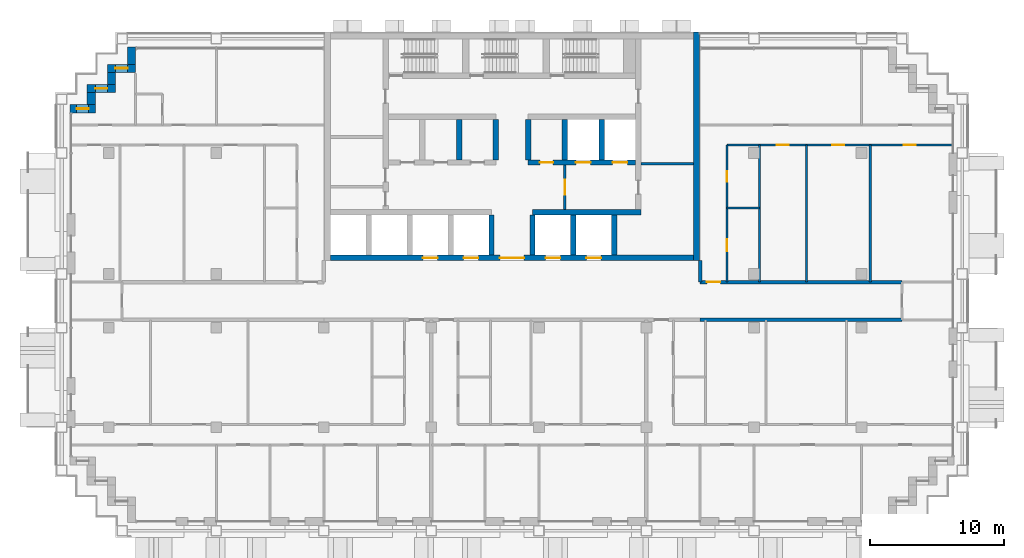
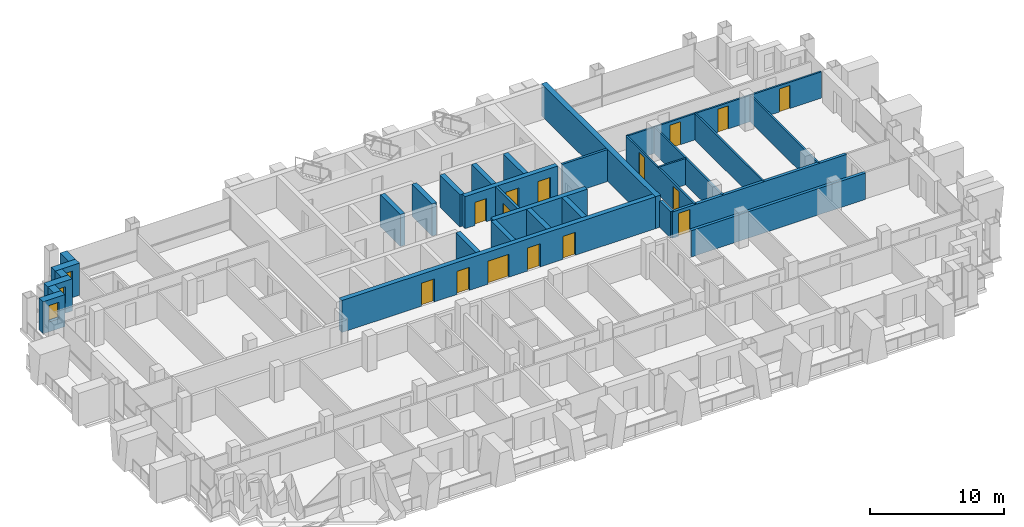
# One storey, part 10 of 16: 30 walls, 15 doors, 3 windows, 18 openings.
"""IFC4 building model written with IfcOpenShell, lengths in metres."""

from ifc_helpers import new_model, si_unit, direction, frame, frame_2d, origin, place, context, subcontext, project, spatial, rectangle, extrude, material, layer, layer_set, type_object, element, fill, save


model = new_model("IFC4")

# Units and contexts
model_context = context("Model", 3, precision=1e-05, world=origin(), true_north=direction((0.0, 1.0)))
body_context = subcontext(model_context, "Body", "Model", "MODEL_VIEW")
ifc_project = project(units=[si_unit("LENGTHUNIT", "METRE"), si_unit("AREAUNIT", "SQUARE_METRE"), si_unit("VOLUMEUNIT", "CUBIC_METRE"), si_unit("PLANEANGLEUNIT", "RADIAN"), si_unit("MASSUNIT", "GRAM", prefix="KILO")], contexts=[model_context])

# Site, building, storey
site_placement = place(None, origin())
site = spatial("IfcSite", under=ifc_project, at=site_placement, CompositionType="ELEMENT")
building_placement = place(site_placement, origin())
building = spatial("IfcBuilding", under=site, at=building_placement, Name="Vidyagriha Tower", CompositionType="ELEMENT")
storey_placement = place(building_placement, frame((0.0, 0.0, 132.60009765625)))
storey = spatial("IfcBuildingStorey", under=building, at=storey_placement, Name="L34", CompositionType="ELEMENT", Elevation=132.60009765625)

# Wall
ifc_material_1 = material(Name="Precast concrete C40/50 with brick facing", Category="concrete")
ifc_layer_1 = layer(ifc_material_1, 0.60009765625)
ifc_layer_set_1 = layer_set([ifc_layer_1], Name="Precast concrete C40/50 with brick facing")
wall_type_1 = type_object("IfcWallType", Name="Brick-faced precast wall 600", PredefinedType="STANDARD", material=ifc_layer_set_1)
wall_1_placement = place(storey_placement, frame((-28.300048828125, 18.8798828125, 0.0), z_axis=(0.0, 0.0, 1.0), x_axis=(0.0, -1.0, 0.0)))
element("IfcWall", 1, at=wall_1_placement, inside=storey, type_object=wall_type_1, Name="Stepped corner wall L34 R10", PredefinedType="STANDARD", context=body_context, shape_type="SweptSolid", body=[
    extrude(rectangle(XDim=1.27978515625, YDim=0.60009765625, at=frame_2d((0.639892578125, 0.0))), origin(), (0.0, 0.0, 1.0), 2.919921875),
])

# Wall, opening, window
wall_2_placement = place(storey_placement, frame((-28.0, 17.300048828125, 0.0), z_axis=(0.0, 0.0, 1.0), x_axis=(-1.0, 0.0, 0.0)))
wall_2 = element("IfcWall", 2, at=wall_2_placement, inside=storey, type_object=wall_type_1, Name="Stepped corner wall L34 R11", PredefinedType="STANDARD", context=body_context, shape_type="SweptSolid", body=[
    extrude(rectangle(XDim=2.10009765625, YDim=0.60009765625, at=frame_2d((1.050048828125, 0.0))), origin(), (0.0, 0.0, 1.0), 2.919921875),
])
opening_1_placement = place(wall_2_placement, frame((0.60009765625, 0.0, 0.89990234375)))
opening_1 = element("IfcOpeningElement", 3, at=opening_1_placement, cuts=wall_2, Name="Opening WN1", PredefinedType="OPENING", context=body_context, shape_type="SweptSolid", body=[
    extrude(rectangle(XDim=0.89990234375, YDim=1.5, at=frame_2d((0.449951171875, 0.75))), frame((0.0, 0.31005859375, 0.0), z_axis=(0.0, -1.0, 0.0), x_axis=(1.0, 0.0, 0.0)), (0.0, 0.0, 1.0), 0.6201171875),
])
ifc_material_2 = material(Name="Aluminium and glass window", Category="aluminium")
window_type = type_object("IfcWindowType", Name="Reveal window 900x1500", PartitioningType="NOTDEFINED", PredefinedType="WINDOW", material=ifc_material_2)
window_1_placement = place(opening_1_placement, origin())
window_1 = element("IfcWindow", 4, at=window_1_placement, inside=storey, type_object=window_type, Name="Reveal window L34 R11", OverallHeight=1.5, OverallWidth=0.89990234375, PartitioningType="SINGLE_PANEL", PredefinedType="WINDOW", context=body_context, shape_type="SweptSolid", body=[
    extrude(rectangle(XDim=0.89990234375, YDim=1.5, at=frame_2d((0.449951171875, 0.75))), frame((0.0, 0.030029296875, 0.0), z_axis=(0.0, -1.0, 0.0), x_axis=(1.0, 0.0, 0.0)), (0.0, 0.0, 1.0), 0.06005859375),
])
fill(opening_1, window_1)

# Wall
wall_3_placement = place(storey_placement, frame((-29.800048828125, 17.0, 0.0), z_axis=(0.0, 0.0, 1.0), x_axis=(0.0, -1.0, 0.0)))
element("IfcWall", 5, at=wall_3_placement, inside=storey, type_object=wall_type_1, Name="Stepped corner wall L34 R12", PredefinedType="STANDARD", context=body_context, shape_type="SweptSolid", body=[
    extrude(rectangle(XDim=0.89990234375, YDim=0.60009765625, at=frame_2d((0.449951171875, 0.0))), origin(), (0.0, 0.0, 1.0), 2.919921875),
])

# Wall, opening, window
wall_4_placement = place(storey_placement, frame((-29.5, 15.800048828125, 0.0), z_axis=(0.0, 0.0, 1.0), x_axis=(-1.0, 0.0, 0.0)))
wall_4 = element("IfcWall", 6, at=wall_4_placement, inside=storey, type_object=wall_type_1, Name="Stepped corner wall L34 R13", PredefinedType="STANDARD", context=body_context, shape_type="SweptSolid", body=[
    extrude(rectangle(XDim=2.10009765625, YDim=0.60009765625, at=frame_2d((1.050048828125, 0.0))), origin(), (0.0, 0.0, 1.0), 2.919921875),
])
opening_2_placement = place(wall_4_placement, frame((0.60009765625, 0.0, 0.89990234375)))
opening_2 = element("IfcOpeningElement", 7, at=opening_2_placement, cuts=wall_4, Name="Opening WN1", PredefinedType="OPENING", context=body_context, shape_type="SweptSolid", body=[
    extrude(rectangle(XDim=0.89990234375, YDim=1.5, at=frame_2d((0.449951171875, 0.75))), frame((0.0, 0.31005859375, 0.0), z_axis=(0.0, -1.0, 0.0), x_axis=(1.0, 0.0, 0.0)), (0.0, 0.0, 1.0), 0.6201171875),
])
window_2_placement = place(opening_2_placement, origin())
window_2 = element("IfcWindow", 8, at=window_2_placement, inside=storey, type_object=window_type, Name="Reveal window L34 R13", OverallHeight=1.5, OverallWidth=0.89990234375, PartitioningType="SINGLE_PANEL", PredefinedType="WINDOW", context=body_context, shape_type="SweptSolid", body=[
    extrude(rectangle(XDim=0.89990234375, YDim=1.5, at=frame_2d((0.449951171875, 0.75))), frame((0.0, 0.030029296875, 0.0), z_axis=(0.0, -1.0, 0.0), x_axis=(1.0, 0.0, 0.0)), (0.0, 0.0, 1.0), 0.06005859375),
])
fill(opening_2, window_2)

# Wall
wall_5_placement = place(storey_placement, frame((-31.300048828125, 15.5, 0.0), z_axis=(0.0, 0.0, 1.0), x_axis=(0.0, -1.0, 0.0)))
element("IfcWall", 9, at=wall_5_placement, inside=storey, type_object=wall_type_1, Name="Stepped corner wall L34 R14", PredefinedType="STANDARD", context=body_context, shape_type="SweptSolid", body=[
    extrude(rectangle(XDim=0.89990234375, YDim=0.60009765625, at=frame_2d((0.449951171875, 0.0))), origin(), (0.0, 0.0, 1.0), 2.919921875),
])

# Wall, opening, window
wall_6_placement = place(storey_placement, frame((-31.0, 14.300048828125, 0.0), z_axis=(0.0, 0.0, 1.0), x_axis=(-1.0, 0.0, 0.0)))
wall_6 = element("IfcWall", 10, at=wall_6_placement, inside=storey, type_object=wall_type_1, Name="Stepped corner wall L34 R15", PredefinedType="STANDARD", context=body_context, shape_type="SweptSolid", body=[
    extrude(rectangle(XDim=1.8798828125, YDim=0.60009765625, at=frame_2d((0.93994140625, 0.0))), origin(), (0.0, 0.0, 1.0), 2.919921875),
])
opening_3_placement = place(wall_6_placement, frame((0.489990234375, 0.0, 0.89990234375)))
opening_3 = element("IfcOpeningElement", 11, at=opening_3_placement, cuts=wall_6, Name="Opening WN1", PredefinedType="OPENING", context=body_context, shape_type="SweptSolid", body=[
    extrude(rectangle(XDim=0.89990234375, YDim=1.5, at=frame_2d((0.449951171875, 0.75))), frame((0.0, 0.31005859375, 0.0), z_axis=(0.0, -1.0, 0.0), x_axis=(1.0, 0.0, 0.0)), (0.0, 0.0, 1.0), 0.6201171875),
])
window_3_placement = place(opening_3_placement, origin())
window_3 = element("IfcWindow", 12, at=window_3_placement, inside=storey, type_object=window_type, Name="Reveal window L34 R15", OverallHeight=1.5, OverallWidth=0.89990234375, PartitioningType="SINGLE_PANEL", PredefinedType="WINDOW", context=body_context, shape_type="SweptSolid", body=[
    extrude(rectangle(XDim=0.89990234375, YDim=1.5, at=frame_2d((0.449951171875, 0.75))), frame((0.0, 0.030029296875, 0.0), z_axis=(0.0, -1.0, 0.0), x_axis=(1.0, 0.0, 0.0)), (0.0, 0.0, 1.0), 0.06005859375),
])
fill(opening_3, window_3)

# Wall, openings, doors
ifc_material_3 = material(Name="Concrete C60/75", Category="concrete")
ifc_layer_2 = layer(ifc_material_3, 0.39990234375)
ifc_layer_set_2 = layer_set([ifc_layer_2], Name="Concrete C60/75")
wall_type_2 = type_object("IfcWallType", Name="Core shear wall 400 mm", PredefinedType="SHEAR", material=ifc_layer_set_2)
wall_7_placement = place(storey_placement, frame((-13.5, 3.199951171875, 0.0)))
wall_7 = element("IfcWall", 13, at=wall_7_placement, inside=storey, type_object=wall_type_2, Name="Core front wall", PredefinedType="SHEAR", context=body_context, shape_type="SweptSolid", body=[
    extrude(rectangle(XDim=27.0, YDim=0.39990234375, at=frame_2d((13.5, 0.0))), origin(), (0.0, 0.0, 1.0), 2.919921875),
])
opening_4_placement = place(wall_7_placement, frame((6.861083984375, 0.0, 0.0)))
opening_4 = element("IfcOpeningElement", 14, at=opening_4_placement, cuts=wall_7, Name="Opening LD34-01", PredefinedType="OPENING", context=body_context, shape_type="SweptSolid", body=[
    extrude(rectangle(XDim=1.10009765625, YDim=2.10009765625, at=frame_2d((0.550048828125, 1.050048828125))), frame((0.0, 0.2099609375, 0.0), z_axis=(0.0, -1.0, 0.0), x_axis=(1.0, 0.0, 0.0)), (0.0, 0.0, 1.0), 0.419921875),
])
opening_5_placement = place(wall_7_placement, frame((9.905517578125, 0.0, 0.0)))
opening_5 = element("IfcOpeningElement", 15, at=opening_5_placement, cuts=wall_7, Name="Opening LD34-02", PredefinedType="OPENING", context=body_context, shape_type="SweptSolid", body=[
    extrude(rectangle(XDim=1.10009765625, YDim=2.10009765625, at=frame_2d((0.550048828125, 1.050048828125))), frame((0.0, 0.2099609375, 0.0), z_axis=(0.0, -1.0, 0.0), x_axis=(1.0, 0.0, 0.0)), (0.0, 0.0, 1.0), 0.419921875),
])
opening_6_placement = place(wall_7_placement, frame((15.994384765625, 0.0, 0.0)))
opening_6 = element("IfcOpeningElement", 16, at=opening_6_placement, cuts=wall_7, Name="Opening LD34-03", PredefinedType="OPENING", context=body_context, shape_type="SweptSolid", body=[
    extrude(rectangle(XDim=1.10009765625, YDim=2.10009765625, at=frame_2d((0.550048828125, 1.050048828125))), frame((0.0, 0.2099609375, 0.0), z_axis=(0.0, -1.0, 0.0), x_axis=(1.0, 0.0, 0.0)), (0.0, 0.0, 1.0), 0.419921875),
])
opening_7_placement = place(wall_7_placement, frame((19.038818359375, 0.0, 0.0)))
opening_7 = element("IfcOpeningElement", 17, at=opening_7_placement, cuts=wall_7, Name="Opening LD34-04", PredefinedType="OPENING", context=body_context, shape_type="SweptSolid", body=[
    extrude(rectangle(XDim=1.10009765625, YDim=2.10009765625, at=frame_2d((0.550048828125, 1.050048828125))), frame((0.0, 0.2099609375, 0.0), z_axis=(0.0, -1.0, 0.0), x_axis=(1.0, 0.0, 0.0)), (0.0, 0.0, 1.0), 0.419921875),
])
opening_8_placement = place(wall_7_placement, frame((12.60009765625, 0.0, 0.0)))
opening_8 = element("IfcOpeningElement", 18, at=opening_8_placement, cuts=wall_7, Name="Opening D34-01", PredefinedType="OPENING", context=body_context, shape_type="SweptSolid", body=[
    extrude(rectangle(XDim=1.800048828125, YDim=2.10009765625, at=frame_2d((0.89990234375, 1.050048828125))), frame((0.0, 0.2099609375, 0.0), z_axis=(0.0, -1.0, 0.0), x_axis=(1.0, 0.0, 0.0)), (0.0, 0.0, 1.0), 0.419921875),
])
ifc_material_4 = material(Name="Hollow metal door leaf")
door_type_1 = type_object("IfcDoorType", Name="Core lobby double door 1800 x 2100 mm EI 60", OperationType="NOTDEFINED", PredefinedType="DOOR", material=ifc_material_4)
door_1_placement = place(opening_8_placement, frame((1.800048828125, 0.0, 0.0), z_axis=(0.0, 0.0, 1.0), x_axis=(-1.0, 0.0, 0.0)))
door_1 = element("IfcDoor", 19, at=door_1_placement, inside=storey, type_object=door_type_1, Name="Core entrance door L34", OperationType="DOUBLE_DOOR_SINGLE_SWING", OverallHeight=2.10009765625, OverallWidth=1.800048828125, PredefinedType="DOOR", context=body_context, shape_type="SweptSolid", body=[
    extrude(rectangle(XDim=1.800048828125, YDim=2.10009765625, at=frame_2d((0.89990234375, 1.050048828125))), frame((0.0, 0.02490234375, 0.0), z_axis=(0.0, -1.0, 0.0), x_axis=(1.0, 0.0, 0.0)), (0.0, 0.0, 1.0), 0.050048828125),
])
fill(opening_8, door_1)
ifc_material_5 = material(Name="Stainless steel sliding door panel", Category="steel")
door_type_2 = type_object("IfcDoorType", Name="Lift landing door 1100 x 2100 mm EI 90", OperationType="NOTDEFINED", PredefinedType="DOOR", material=ifc_material_5)
door_2_placement = place(opening_4_placement, origin())
door_2 = element("IfcDoor", 20, at=door_2_placement, inside=storey, type_object=door_type_2, Name="Landing door LR1 L34", OperationType="SLIDING_TO_LEFT", OverallHeight=2.10009765625, OverallWidth=1.10009765625, PredefinedType="DOOR", context=body_context, shape_type="SweptSolid", body=[
    extrude(rectangle(XDim=1.10009765625, YDim=2.10009765625, at=frame_2d((0.550048828125, 1.050048828125))), frame((0.0, 0.02490234375, 0.0), z_axis=(0.0, -1.0, 0.0), x_axis=(1.0, 0.0, 0.0)), (0.0, 0.0, 1.0), 0.050048828125),
])
fill(opening_4, door_2)
door_3_placement = place(opening_5_placement, origin())
door_3 = element("IfcDoor", 21, at=door_3_placement, inside=storey, type_object=door_type_2, Name="Landing door LR2 L34", OperationType="SLIDING_TO_LEFT", OverallHeight=2.10009765625, OverallWidth=1.10009765625, PredefinedType="DOOR", context=body_context, shape_type="SweptSolid", body=[
    extrude(rectangle(XDim=1.10009765625, YDim=2.10009765625, at=frame_2d((0.550048828125, 1.050048828125))), frame((0.0, 0.02490234375, 0.0), z_axis=(0.0, -1.0, 0.0), x_axis=(1.0, 0.0, 0.0)), (0.0, 0.0, 1.0), 0.050048828125),
])
fill(opening_5, door_3)
door_4_placement = place(opening_6_placement, origin())
door_4 = element("IfcDoor", 22, at=door_4_placement, inside=storey, type_object=door_type_2, Name="Landing door LR3 L34", OperationType="SLIDING_TO_LEFT", OverallHeight=2.10009765625, OverallWidth=1.10009765625, PredefinedType="DOOR", context=body_context, shape_type="SweptSolid", body=[
    extrude(rectangle(XDim=1.10009765625, YDim=2.10009765625, at=frame_2d((0.550048828125, 1.050048828125))), frame((0.0, 0.02490234375, 0.0), z_axis=(0.0, -1.0, 0.0), x_axis=(1.0, 0.0, 0.0)), (0.0, 0.0, 1.0), 0.050048828125),
])
fill(opening_6, door_4)
door_5_placement = place(opening_7_placement, origin())
door_5 = element("IfcDoor", 23, at=door_5_placement, inside=storey, type_object=door_type_2, Name="Landing door LR4 L34", OperationType="SLIDING_TO_LEFT", OverallHeight=2.10009765625, OverallWidth=1.10009765625, PredefinedType="DOOR", context=body_context, shape_type="SweptSolid", body=[
    extrude(rectangle(XDim=1.10009765625, YDim=2.10009765625, at=frame_2d((0.550048828125, 1.050048828125))), frame((0.0, 0.02490234375, 0.0), z_axis=(0.0, -1.0, 0.0), x_axis=(1.0, 0.0, 0.0)), (0.0, 0.0, 1.0), 0.050048828125),
])
fill(opening_7, door_5)

# Walls
wall_8_placement = place(storey_placement, frame((1.522216796875, 6.60009765625, 0.0)))
element("IfcWall", 24, at=wall_8_placement, inside=storey, type_object=wall_type_2, Name="Core lobby south wall east", PredefinedType="SHEAR", context=body_context, shape_type="SweptSolid", body=[
    extrude(rectangle(XDim=8.077880859375, YDim=0.39990234375, at=frame_2d((4.0390625, 0.0))), origin(), (0.0, 0.0, 1.0), 2.919921875),
])
for number, where, z_axis, x_axis, name in (
    (25, (-1.522216796875, 3.39990234375, 0.0), (0.0, 0.0, 1.0), (0.0, 1.0, 0.0), "Core bay wall S4"),
    (26, (1.522216796875, 3.39990234375, 0.0), (0.0, 0.0, 1.0), (0.0, 1.0, 0.0), "Core bay wall S5"),
    (27, (4.566650390625, 3.39990234375, 0.0), (0.0, 0.0, 1.0), (0.0, 1.0, 0.0), "Core bay wall S6"),
    (28, (7.611083984375, 3.39990234375, 0.0), (0.0, 0.0, 1.0), (0.0, 1.0, 0.0), "Core bay wall S7"),
):
    element("IfcWall", number, at=place(storey_placement, frame(where, z_axis=z_axis, x_axis=x_axis)), inside=storey, type_object=wall_type_2, Name=name, PredefinedType="SHEAR", context=body_context, shape_type="SweptSolid", body=[
        extrude(rectangle(XDim=3.0, YDim=0.39990234375, at=frame_2d((1.5, 0.0))), origin(), (0.0, 0.0, 1.0), 2.919921875),
    ])

# Wall, openings, doors
wall_9_placement = place(storey_placement, frame((1.199951171875, 10.300048828125, 0.0)))
wall_9 = element("IfcWall", 29, at=wall_9_placement, inside=storey, type_object=wall_type_2, Name="Core row N front wall", PredefinedType="SHEAR", context=body_context, shape_type="SweptSolid", body=[
    extrude(rectangle(XDim=8.0, YDim=0.39990234375, at=frame_2d((4.0, 0.0))), origin(), (0.0, 0.0, 1.0), 2.919921875),
])
opening_9_placement = place(wall_9_placement, frame((3.550048828125, 0.0, 0.0)))
opening_9 = element("IfcOpeningElement", 30, at=opening_9_placement, cuts=wall_9, Name="Opening LD34-05", PredefinedType="OPENING", context=body_context, shape_type="SweptSolid", body=[
    extrude(rectangle(XDim=1.10009765625, YDim=2.10009765625, at=frame_2d((0.550048828125, 1.050048828125))), frame((0.0, 0.2099609375, 0.0), z_axis=(0.0, -1.0, 0.0), x_axis=(1.0, 0.0, 0.0)), (0.0, 0.0, 1.0), 0.419921875),
])
opening_10_placement = place(wall_9_placement, frame((6.283203125, 0.0, 0.0)))
opening_10 = element("IfcOpeningElement", 31, at=opening_10_placement, cuts=wall_9, Name="Opening LD34-06", PredefinedType="OPENING", context=body_context, shape_type="SweptSolid", body=[
    extrude(rectangle(XDim=1.10009765625, YDim=2.10009765625, at=frame_2d((0.550048828125, 1.050048828125))), frame((0.0, 0.2099609375, 0.0), z_axis=(0.0, -1.0, 0.0), x_axis=(1.0, 0.0, 0.0)), (0.0, 0.0, 1.0), 0.419921875),
])
opening_11_placement = place(wall_9_placement, frame((0.86669921875, 0.0, 0.0)))
opening_11 = element("IfcOpeningElement", 32, at=opening_11_placement, cuts=wall_9, Name="Opening D34-05", PredefinedType="OPENING", context=body_context, shape_type="SweptSolid", body=[
    extrude(rectangle(XDim=1.0, YDim=2.10009765625, at=frame_2d((0.5, 1.050048828125))), frame((0.0, 0.2099609375, 0.0), z_axis=(0.0, -1.0, 0.0), x_axis=(1.0, 0.0, 0.0)), (0.0, 0.0, 1.0), 0.419921875),
])
ifc_material_6 = material(Name="Hollow metal door leaf")
door_type_3 = type_object("IfcDoorType", Name="Core room door 1000 x 2100 mm EI 60", OperationType="NOTDEFINED", PredefinedType="DOOR", material=ifc_material_6)
door_6_placement = place(opening_11_placement, frame((1.0, 0.0, 0.0), z_axis=(0.0, 0.0, 1.0), x_axis=(-1.0, 0.0, 0.0)))
door_6 = element("IfcDoor", 33, at=door_6_placement, inside=storey, type_object=door_type_3, Name="Door Refuse Room 34.17", OperationType="SINGLE_SWING_LEFT", OverallHeight=2.10009765625, OverallWidth=1.0, PredefinedType="DOOR", context=body_context, shape_type="SweptSolid", body=[
    extrude(rectangle(XDim=1.0, YDim=2.10009765625, at=frame_2d((0.5, 1.050048828125))), frame((0.0, 0.02490234375, 0.0), z_axis=(0.0, -1.0, 0.0), x_axis=(1.0, 0.0, 0.0)), (0.0, 0.0, 1.0), 0.050048828125),
])
fill(opening_11, door_6)
door_7_placement = place(opening_9_placement, origin())
door_7 = element("IfcDoor", 34, at=door_7_placement, inside=storey, type_object=door_type_2, Name="Landing door FF1 L34", OperationType="SLIDING_TO_LEFT", OverallHeight=2.10009765625, OverallWidth=1.10009765625, PredefinedType="DOOR", context=body_context, shape_type="SweptSolid", body=[
    extrude(rectangle(XDim=1.10009765625, YDim=2.10009765625, at=frame_2d((0.550048828125, 1.050048828125))), frame((0.0, 0.02490234375, 0.0), z_axis=(0.0, -1.0, 0.0), x_axis=(1.0, 0.0, 0.0)), (0.0, 0.0, 1.0), 0.050048828125),
])
fill(opening_9, door_7)
door_8_placement = place(opening_10_placement, origin())
door_8 = element("IfcDoor", 35, at=door_8_placement, inside=storey, type_object=door_type_2, Name="Landing door FF2 L34", OperationType="SLIDING_TO_LEFT", OverallHeight=2.10009765625, OverallWidth=1.10009765625, PredefinedType="DOOR", context=body_context, shape_type="SweptSolid", body=[
    extrude(rectangle(XDim=1.10009765625, YDim=2.10009765625, at=frame_2d((0.550048828125, 1.050048828125))), frame((0.0, 0.02490234375, 0.0), z_axis=(0.0, -1.0, 0.0), x_axis=(1.0, 0.0, 0.0)), (0.0, 0.0, 1.0), 0.050048828125),
])
fill(opening_10, door_8)

# Walls
for number, where, z_axis, x_axis, name in (
    (36, (-3.933349609375, 10.5, 0.0), (0.0, 0.0, 1.0), (0.0, 1.0, 0.0), "Core bay wall N2"),
    (37, (-1.199951171875, 10.5, 0.0), (0.0, 0.0, 1.0), (0.0, 1.0, 0.0), "Core bay wall N3"),
    (38, (1.199951171875, 10.5, 0.0), (0.0, 0.0, 1.0), (0.0, 1.0, 0.0), "Core bay wall N4"),
    (39, (3.933349609375, 10.5, 0.0), (0.0, 0.0, 1.0), (0.0, 1.0, 0.0), "Core bay wall N5"),
    (40, (6.666748046875, 10.5, 0.0), (0.0, 0.0, 1.0), (0.0, 1.0, 0.0), "Core bay wall N6"),
):
    element("IfcWall", number, at=place(storey_placement, frame(where, z_axis=z_axis, x_axis=x_axis)), inside=storey, type_object=wall_type_2, Name=name, PredefinedType="SHEAR", context=body_context, shape_type="SweptSolid", body=[
        extrude(rectangle(XDim=3.0, YDim=0.39990234375, at=frame_2d((1.5, 0.0))), origin(), (0.0, 0.0, 1.0), 2.919921875),
    ])
ifc_material_7 = material(Name="Concrete C60/75", Category="concrete")
ifc_layer_3 = layer(ifc_material_7, 0.449951171875)
ifc_layer_set_3 = layer_set([ifc_layer_3], Name="Concrete C60/75")
wall_type_3 = type_object("IfcWallType", Name="Core shear wall 450 mm", PredefinedType="SHEAR", material=ifc_layer_set_3)
wall_10_placement = place(storey_placement, frame((13.72509765625, 3.0, 0.0), z_axis=(0.0, 0.0, 1.0), x_axis=(0.0, 1.0, 0.0)))
element("IfcWall", 41, at=wall_10_placement, inside=storey, type_object=wall_type_3, Name="Core east wall", PredefinedType="SHEAR", context=body_context, shape_type="SweptSolid", body=[
    extrude(rectangle(XDim=17.0, YDim=0.449951171875, at=frame_2d((8.5, 0.0))), origin(), (0.0, 0.0, 1.0), 2.919921875),
])
ifc_material_8 = material(Name="Fired clay brick masonry", Category="masonry")
ifc_layer_4 = layer(ifc_material_8, 0.25)
ifc_layer_set_4 = layer_set([ifc_layer_4], Name="Fired clay brick masonry")
wall_type_4 = type_object("IfcWallType", Name="Fired clay brick corridor wall 250", PredefinedType="PARTITIONING", material=ifc_layer_set_4)
wall_11_placement = place(storey_placement, frame((29.0, -1.39990234375, 0.0), z_axis=(0.0, 0.0, 1.0), x_axis=(-1.0, 0.0, 0.0)))
element("IfcWall", 42, at=wall_11_placement, inside=storey, type_object=wall_type_4, Name="Wall all-L34-w065", PredefinedType="PARTITIONING", context=body_context, shape_type="SweptSolid", body=[
    extrude(rectangle(XDim=15.0, YDim=0.25, at=frame_2d((7.5, 0.0))), origin(), (0.0, 0.0, 1.0), 2.39990234375),
])

# Wall, opening, door
wall_12_placement = place(storey_placement, frame((14.0, 1.39990234375, 0.0)))
wall_12 = element("IfcWall", 43, at=wall_12_placement, inside=storey, type_object=wall_type_4, Name="Wall all-L34-w106", PredefinedType="PARTITIONING", context=body_context, shape_type="SweptSolid", body=[
    extrude(rectangle(XDim=15.0, YDim=0.25, at=frame_2d((7.5, 0.0))), origin(), (0.0, 0.0, 1.0), 2.39990234375),
])
opening_12_placement = place(wall_12_placement, frame((0.5, 0.0, 0.0)))
opening_12 = element("IfcOpeningElement", 44, at=opening_12_placement, cuts=wall_12, Name="Opening D34-62", PredefinedType="OPENING", context=body_context, shape_type="SweptSolid", body=[
    extrude(rectangle(XDim=1.0, YDim=2.10009765625, at=frame_2d((0.5, 1.050048828125))), frame((0.0, 0.135009765625, 0.0), z_axis=(0.0, -1.0, 0.0), x_axis=(1.0, 0.0, 0.0)), (0.0, 0.0, 1.0), 0.27001953125),
])
ifc_material_9 = material(Name="Fire-rated timber door leaf EI 60", Category="wood")
door_type_4 = type_object("IfcDoorType", Name="Flat entrance fire door 1000x2100", OperationType="NOTDEFINED", PredefinedType="DOOR", material=ifc_material_9)
door_9_placement = place(opening_12_placement, origin())
door_9 = element("IfcDoor", 45, at=door_9_placement, inside=storey, type_object=door_type_4, Name="Door D34-62", OperationType="SINGLE_SWING_LEFT", OverallHeight=2.10009765625, OverallWidth=1.0, PredefinedType="DOOR", context=body_context, shape_type="SweptSolid", body=[
    extrude(rectangle(XDim=1.0, YDim=2.10009765625, at=frame_2d((0.5, 1.050048828125))), frame((0.0, 0.02490234375, 0.0), z_axis=(0.0, -1.0, 0.0), x_axis=(1.0, 0.0, 0.0)), (0.0, 0.0, 1.0), 0.050048828125),
])
fill(opening_12, door_9)

# Walls
wall_13_placement = place(storey_placement, frame((14.0, 1.39990234375, 0.0), z_axis=(0.0, 0.0, 1.0), x_axis=(0.0, 1.0, 0.0)))
element("IfcWall", 46, at=wall_13_placement, inside=storey, type_object=wall_type_4, Name="Wall all-L34-w114", PredefinedType="PARTITIONING", context=body_context, shape_type="SweptSolid", body=[
    extrude(rectangle(XDim=1.60009765625, YDim=0.25, at=frame_2d((0.800048828125, 0.0))), origin(), (0.0, 0.0, 1.0), 2.39990234375),
])
ifc_material_10 = material(Name="Gypsum board partition")
ifc_layer_5 = layer(ifc_material_10, 0.14990234375)
ifc_layer_set_5 = layer_set([ifc_layer_5], Name="Gypsum board partition")
wall_type_5 = type_object("IfcWallType", Name="Gypsum board partition 150", PredefinedType="PARTITIONING", material=ifc_layer_set_5)
wall_14_placement = place(storey_placement, frame((16.0, 6.89990234375, 0.0)))
element("IfcWall", 47, at=wall_14_placement, inside=storey, type_object=wall_type_5, Name="Wall all-L34-w093", PredefinedType="PARTITIONING", context=body_context, shape_type="SweptSolid", body=[
    extrude(rectangle(XDim=2.39990234375, YDim=0.14990234375, at=frame_2d((1.199951171875, 0.0))), origin(), (0.0, 0.0, 1.0), 2.39990234375),
])
for number, where, z_axis, x_axis, name in (
    (48, (18.39990234375, 11.60009765625, 0.0), (0.0, 0.0, 1.0), (0.0, -1.0, 0.0), "Wall all-L34-w094"),
    (49, (21.89990234375, 11.60009765625, 0.0), (0.0, 0.0, 1.0), (0.0, -1.0, 0.0), "Wall all-L34-w095"),
    (50, (26.64990234375, 11.60009765625, 0.0), (0.0, 0.0, 1.0), (0.0, -1.0, 0.0), "Wall all-L34-w096"),
):
    element("IfcWall", number, at=place(storey_placement, frame(where, z_axis=z_axis, x_axis=x_axis)), inside=storey, type_object=wall_type_5, Name=name, PredefinedType="PARTITIONING", context=body_context, shape_type="SweptSolid", body=[
        extrude(rectangle(XDim=10.2001953125, YDim=0.14990234375, at=frame_2d((5.10009765625, 0.0))), origin(), (0.0, 0.0, 1.0), 2.39990234375),
    ])

# Wall, openings, doors
wall_15_placement = place(storey_placement, frame((32.719970703125, 11.60009765625, 0.0), z_axis=(0.0, 0.0, 1.0), x_axis=(-1.0, 0.0, 0.0)))
wall_15 = element("IfcWall", 51, at=wall_15_placement, inside=storey, type_object=wall_type_5, Name="Wall all-L34-w097", PredefinedType="PARTITIONING", context=body_context, shape_type="SweptSolid", body=[
    extrude(rectangle(XDim=16.719970703125, YDim=0.14990234375, at=frame_2d((8.35986328125, 0.0))), origin(), (0.0, 0.0, 1.0), 2.39990234375),
])
opening_13_placement = place(wall_15_placement, frame((12.1201171875, 0.0, 0.0)))
opening_13 = element("IfcOpeningElement", 52, at=opening_13_placement, cuts=wall_15, Name="Opening D34-57", PredefinedType="OPENING", context=body_context, shape_type="SweptSolid", body=[
    extrude(rectangle(XDim=0.89990234375, YDim=2.10009765625, at=frame_2d((0.449951171875, 1.050048828125))), frame((0.0, 0.0849609375, 0.0), z_axis=(0.0, -1.0, 0.0), x_axis=(1.0, 0.0, 0.0)), (0.0, 0.0, 1.0), 0.169921875),
])
opening_14_placement = place(wall_15_placement, frame((7.9951171875, 0.0, 0.0)))
opening_14 = element("IfcOpeningElement", 53, at=opening_14_placement, cuts=wall_15, Name="Opening D34-58", PredefinedType="OPENING", context=body_context, shape_type="SweptSolid", body=[
    extrude(rectangle(XDim=0.89990234375, YDim=2.10009765625, at=frame_2d((0.449951171875, 1.050048828125))), frame((0.0, 0.0849609375, 0.0), z_axis=(0.0, -1.0, 0.0), x_axis=(1.0, 0.0, 0.0)), (0.0, 0.0, 1.0), 0.169921875),
])
opening_15_placement = place(wall_15_placement, frame((2.695068359375, 0.0, 0.0)))
opening_15 = element("IfcOpeningElement", 54, at=opening_15_placement, cuts=wall_15, Name="Opening D34-59", PredefinedType="OPENING", context=body_context, shape_type="SweptSolid", body=[
    extrude(rectangle(XDim=0.89990234375, YDim=2.10009765625, at=frame_2d((0.449951171875, 1.050048828125))), frame((0.0, 0.0849609375, 0.0), z_axis=(0.0, -1.0, 0.0), x_axis=(1.0, 0.0, 0.0)), (0.0, 0.0, 1.0), 0.169921875),
])
ifc_material_11 = material(Name="Timber door leaf", Category="wood")
door_type_5 = type_object("IfcDoorType", Name="Room door 900x2100", OperationType="NOTDEFINED", PredefinedType="DOOR", material=ifc_material_11)
door_10_placement = place(opening_13_placement, origin())
door_10 = element("IfcDoor", 55, at=door_10_placement, inside=storey, type_object=door_type_5, Name="Door D34-57", OperationType="SINGLE_SWING_RIGHT", OverallHeight=2.10009765625, OverallWidth=0.89990234375, PredefinedType="DOOR", context=body_context, shape_type="SweptSolid", body=[
    extrude(rectangle(XDim=0.89990234375, YDim=2.10009765625, at=frame_2d((0.449951171875, 1.050048828125))), frame((0.0, 0.02490234375, 0.0), z_axis=(0.0, -1.0, 0.0), x_axis=(1.0, 0.0, 0.0)), (0.0, 0.0, 1.0), 0.050048828125),
])
fill(opening_13, door_10)
door_11_placement = place(opening_14_placement, origin())
door_11 = element("IfcDoor", 56, at=door_11_placement, inside=storey, type_object=door_type_5, Name="Door D34-58", OperationType="SINGLE_SWING_RIGHT", OverallHeight=2.10009765625, OverallWidth=0.89990234375, PredefinedType="DOOR", context=body_context, shape_type="SweptSolid", body=[
    extrude(rectangle(XDim=0.89990234375, YDim=2.10009765625, at=frame_2d((0.449951171875, 1.050048828125))), frame((0.0, 0.02490234375, 0.0), z_axis=(0.0, -1.0, 0.0), x_axis=(1.0, 0.0, 0.0)), (0.0, 0.0, 1.0), 0.050048828125),
])
fill(opening_14, door_11)
door_12_placement = place(opening_15_placement, origin())
door_12 = element("IfcDoor", 57, at=door_12_placement, inside=storey, type_object=door_type_5, Name="Door D34-59", OperationType="SINGLE_SWING_RIGHT", OverallHeight=2.10009765625, OverallWidth=0.89990234375, PredefinedType="DOOR", context=body_context, shape_type="SweptSolid", body=[
    extrude(rectangle(XDim=0.89990234375, YDim=2.10009765625, at=frame_2d((0.449951171875, 1.050048828125))), frame((0.0, 0.02490234375, 0.0), z_axis=(0.0, -1.0, 0.0), x_axis=(1.0, 0.0, 0.0)), (0.0, 0.0, 1.0), 0.050048828125),
])
fill(opening_15, door_12)

ifc_material_12 = material(Name="Moisture resistant gypsum board partition")
ifc_layer_6 = layer(ifc_material_12, 0.14990234375)
ifc_layer_set_6 = layer_set([ifc_layer_6], Name="Moisture resistant gypsum board partition")
wall_type_6 = type_object("IfcWallType", Name="Gypsum board wet-area partition 150", PredefinedType="PARTITIONING", material=ifc_layer_set_6)
wall_16_placement = place(storey_placement, frame((16.0, 11.60009765625, 0.0), z_axis=(0.0, 0.0, 1.0), x_axis=(0.0, -1.0, 0.0)))
wall_16 = element("IfcWall", 58, at=wall_16_placement, inside=storey, type_object=wall_type_6, Name="Wall all-L34-w090", PredefinedType="PARTITIONING", context=body_context, shape_type="SweptSolid", body=[
    extrude(rectangle(XDim=10.2001953125, YDim=0.14990234375, at=frame_2d((5.10009765625, 0.0))), origin(), (0.0, 0.0, 1.0), 2.39990234375),
])
opening_16_placement = place(wall_16_placement, frame((7.0, 0.0, 0.0)))
opening_16 = element("IfcOpeningElement", 59, at=opening_16_placement, cuts=wall_16, Name="Opening D34-55", PredefinedType="OPENING", context=body_context, shape_type="SweptSolid", body=[
    extrude(rectangle(XDim=0.89990234375, YDim=2.10009765625, at=frame_2d((0.449951171875, 1.050048828125))), frame((0.0, 0.0849609375, 0.0), z_axis=(0.0, -1.0, 0.0), x_axis=(1.0, 0.0, 0.0)), (0.0, 0.0, 1.0), 0.169921875),
])
opening_17_placement = place(wall_16_placement, frame((1.949951171875, 0.0, 0.0)))
opening_17 = element("IfcOpeningElement", 60, at=opening_17_placement, cuts=wall_16, Name="Opening D34-56", PredefinedType="OPENING", context=body_context, shape_type="SweptSolid", body=[
    extrude(rectangle(XDim=0.800048828125, YDim=2.10009765625, at=frame_2d((0.39990234375, 1.050048828125))), frame((0.0, 0.0849609375, 0.0), z_axis=(0.0, -1.0, 0.0), x_axis=(1.0, 0.0, 0.0)), (0.0, 0.0, 1.0), 0.169921875),
])
ifc_material_13 = material(Name="Timber door leaf", Category="wood")
door_type_6 = type_object("IfcDoorType", Name="Bathroom door 800x2100", OperationType="NOTDEFINED", PredefinedType="DOOR", material=ifc_material_13)
door_13_placement = place(opening_17_placement, origin())
door_13 = element("IfcDoor", 61, at=door_13_placement, inside=storey, type_object=door_type_6, Name="Door D34-56", OperationType="SINGLE_SWING_RIGHT", OverallHeight=2.10009765625, OverallWidth=0.800048828125, PredefinedType="DOOR", context=body_context, shape_type="SweptSolid", body=[
    extrude(rectangle(XDim=0.800048828125, YDim=2.10009765625, at=frame_2d((0.39990234375, 1.050048828125))), frame((0.0, 0.02490234375, 0.0), z_axis=(0.0, -1.0, 0.0), x_axis=(1.0, 0.0, 0.0)), (0.0, 0.0, 1.0), 0.050048828125),
])
fill(opening_17, door_13)
ifc_material_14 = material(Name="Timber door leaf", Category="wood")
door_type_7 = type_object("IfcDoorType", Name="Kitchen door 900x2100", OperationType="NOTDEFINED", PredefinedType="DOOR", material=ifc_material_14)
door_14_placement = place(opening_16_placement, origin())
door_14 = element("IfcDoor", 62, at=door_14_placement, inside=storey, type_object=door_type_7, Name="Door D34-55", OperationType="SINGLE_SWING_LEFT", OverallHeight=2.10009765625, OverallWidth=0.89990234375, PredefinedType="DOOR", context=body_context, shape_type="SweptSolid", body=[
    extrude(rectangle(XDim=0.89990234375, YDim=2.10009765625, at=frame_2d((0.449951171875, 1.050048828125))), frame((0.0, 0.02490234375, 0.0), z_axis=(0.0, -1.0, 0.0), x_axis=(1.0, 0.0, 0.0)), (0.0, 0.0, 1.0), 0.050048828125),
])
fill(opening_16, door_14)

# Wall, opening, door
ifc_material_15 = material(Name="Blockwork 15 MPa", Category="masonry")
ifc_layer_7 = layer(ifc_material_15, 0.199951171875)
ifc_layer_set_7 = layer_set([ifc_layer_7], Name="Blockwork 15 MPa")
wall_type_7 = type_object("IfcWallType", Name="Service room partition 200 mm", PredefinedType="PARTITIONING", material=ifc_layer_set_7)
wall_17_placement = place(storey_placement, frame((3.933349609375, 6.800048828125, 0.0), z_axis=(0.0, 0.0, 1.0), x_axis=(0.0, 1.0, 0.0)))
wall_17 = element("IfcWall", 63, at=wall_17_placement, inside=storey, type_object=wall_type_7, Name="Fire-fighting lobby west wall", PredefinedType="PARTITIONING", context=body_context, shape_type="SweptSolid", body=[
    extrude(rectangle(XDim=3.300048828125, YDim=0.199951171875, at=frame_2d((1.64990234375, 0.0))), origin(), (0.0, 0.0, 1.0), 2.919921875),
])
opening_18_placement = place(wall_17_placement, frame((1.10009765625, 0.0, 0.0)))
opening_18 = element("IfcOpeningElement", 64, at=opening_18_placement, cuts=wall_17, Name="Opening D34-06", PredefinedType="OPENING", context=body_context, shape_type="SweptSolid", body=[
    extrude(rectangle(XDim=1.10009765625, YDim=2.10009765625, at=frame_2d((0.550048828125, 1.050048828125))), frame((0.0, 0.10986328125, 0.0), z_axis=(0.0, -1.0, 0.0), x_axis=(1.0, 0.0, 0.0)), (0.0, 0.0, 1.0), 0.219970703125),
])
ifc_material_16 = material(Name="Hollow metal door leaf")
door_type_8 = type_object("IfcDoorType", Name="Fire-fighting lobby door 1100 x 2100 mm EI 90", OperationType="NOTDEFINED", PredefinedType="DOOR", material=ifc_material_16)
door_15_placement = place(opening_18_placement, origin())
door_15 = element("IfcDoor", 65, at=door_15_placement, inside=storey, type_object=door_type_8, Name="Fire-fighting lobby door L34", OperationType="SINGLE_SWING_RIGHT", OverallHeight=2.10009765625, OverallWidth=1.10009765625, PredefinedType="DOOR", context=body_context, shape_type="SweptSolid", body=[
    extrude(rectangle(XDim=1.10009765625, YDim=2.10009765625, at=frame_2d((0.550048828125, 1.050048828125))), frame((0.0, 0.02490234375, 0.0), z_axis=(0.0, -1.0, 0.0), x_axis=(1.0, 0.0, 0.0)), (0.0, 0.0, 1.0), 0.050048828125),
])
fill(opening_18, door_15)

# Wall
wall_18_placement = place(storey_placement, frame((9.60009765625, 10.199951171875, 0.0)))
element("IfcWall", 66, at=wall_18_placement, inside=storey, type_object=wall_type_7, Name="Core room partition E1", PredefinedType="PARTITIONING", context=body_context, shape_type="SweptSolid", body=[
    extrude(rectangle(XDim=3.89990234375, YDim=0.199951171875, at=frame_2d((1.949951171875, 0.0))), origin(), (0.0, 0.0, 1.0), 2.919921875),
])

save(model, "model.ifc")
